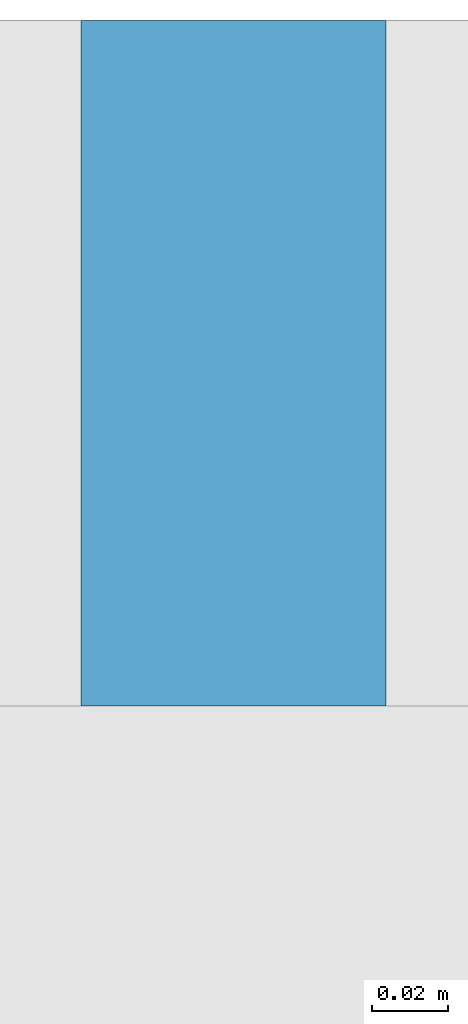
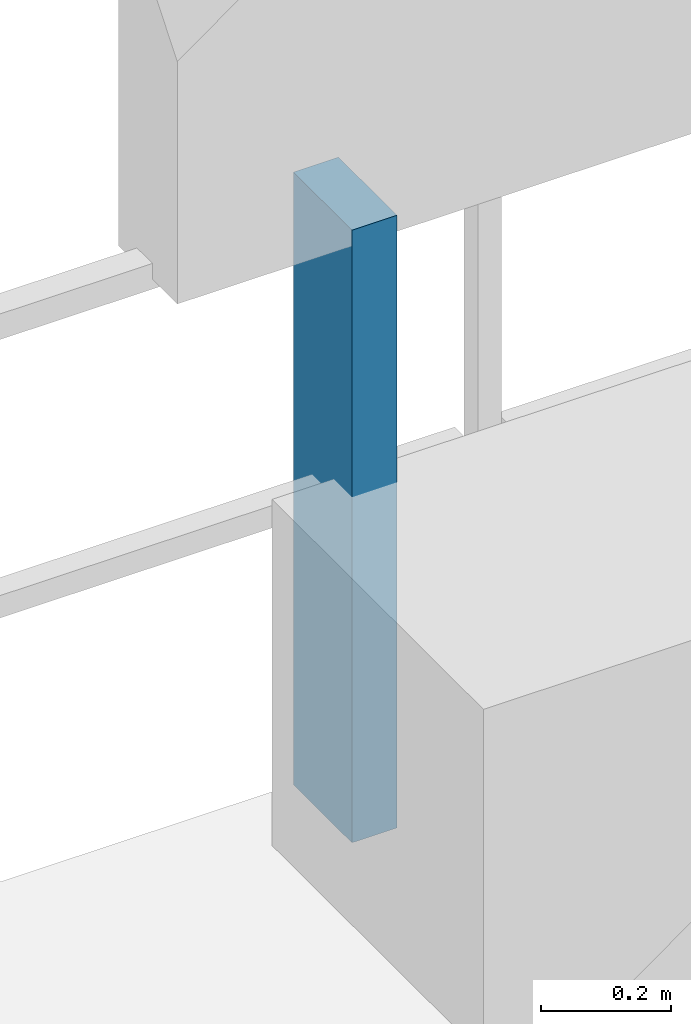
# One storey, part 25 of 30: 1 discrete accessory.
"""IFC4 building model written with IfcOpenShell, lengths in metres."""

from ifc_helpers import new_model, si_unit, direction, frame, origin, origin_2d, place, context, subcontext, project, spatial, rectangle, extrude, material, type_object, element, save


model = new_model("IFC4")

# Units and contexts
model_context = context("Model", 3, precision=1e-05, world=origin(), true_north=direction((0.0, 1.0)))
body_context = subcontext(model_context, "Body", "Model", "MODEL_VIEW")
ifc_project = project(units=[si_unit("LENGTHUNIT", "METRE"), si_unit("AREAUNIT", "SQUARE_METRE"), si_unit("VOLUMEUNIT", "CUBIC_METRE"), si_unit("PLANEANGLEUNIT", "RADIAN"), si_unit("MASSUNIT", "GRAM", prefix="KILO")], contexts=[model_context])

# Site, building, storey
site_placement = place(None, origin())
site = spatial("IfcSite", under=ifc_project, at=site_placement, CompositionType="ELEMENT")
building_placement = place(site_placement, origin())
building = spatial("IfcBuilding", under=site, at=building_placement, Name="Thornwick Lancets Civic Towers", CompositionType="ELEMENT")
storey_placement = place(building_placement, frame((0.0, 0.0, 80.10009765625)))
storey = spatial("IfcBuildingStorey", under=building, at=storey_placement, Name="L20", CompositionType="ELEMENT", Elevation=80.10009765625)

# Discrete accessory
ifc_material = material(Name="Stainless steel S355", Category="steel")
discrete_accessory_type = type_object("IfcDiscreteAccessoryType", Name="ACC_SCREEN_BRACKET", PredefinedType="BRACKET", material=ifc_material)
discrete_accessory_placement = place(storey_placement, frame((24.050048828125, 52.260009765625, 0.0), z_axis=(0.0, 0.0, 1.0), x_axis=(1.0, 0.0, 0.0)))
element("IfcDiscreteAccessory", 1, at=discrete_accessory_placement, inside=storey, type_object=discrete_accessory_type, Name="L20 Tower A Balcony Screen Stanchion Bracket N-1", PredefinedType="BRACKET", context=body_context, shape_type="SweptSolid", body=[
    extrude(rectangle(XDim=0.080078125, YDim=0.179931640625, at=origin_2d()), origin(), (0.0, 0.0, 1.0), 1.14990234375),
])

save(model, "model.ifc")
